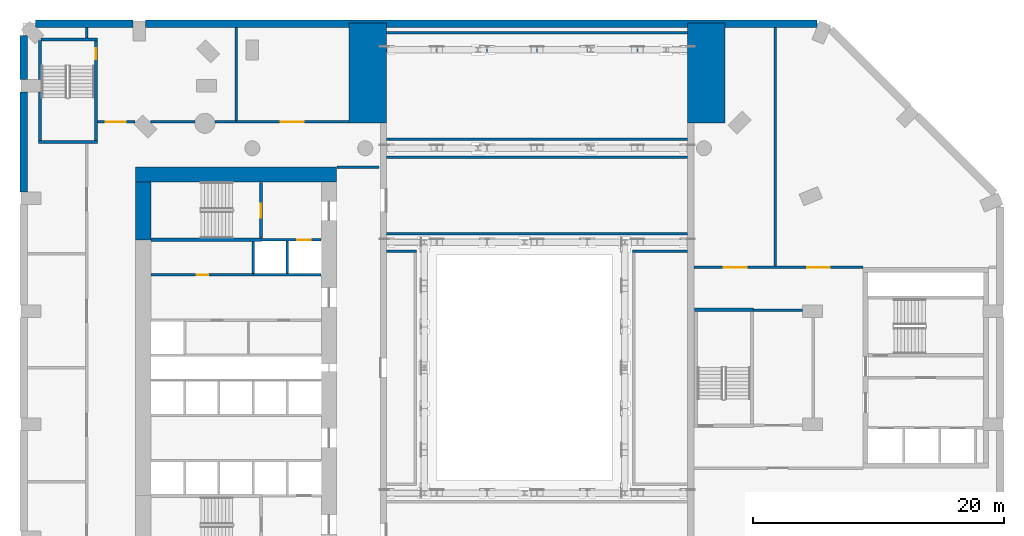
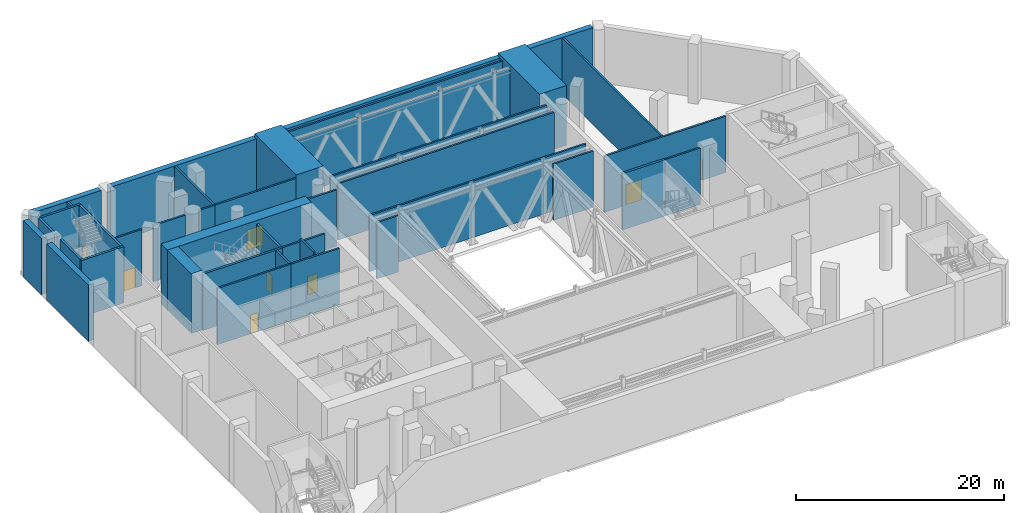
# One storey, part 7 of 21: 38 walls, 8 doors, 8 openings.
"""IFC4 building model written with IfcOpenShell, lengths in metres."""

from ifc_helpers import new_model, si_unit, direction, frame, frame_2d, origin, place, context, subcontext, project, spatial, rectangle, extrude, material, layer, layer_set, type_object, element, fill, save


model = new_model("IFC4")

# Units and contexts
model_context = context("Model", 3, precision=1e-05, world=origin(), true_north=direction((0.0, 1.0)))
body_context = subcontext(model_context, "Body", "Model", "MODEL_VIEW")
ifc_project = project(units=[si_unit("LENGTHUNIT", "METRE"), si_unit("AREAUNIT", "SQUARE_METRE"), si_unit("VOLUMEUNIT", "CUBIC_METRE"), si_unit("PLANEANGLEUNIT", "RADIAN"), si_unit("MASSUNIT", "GRAM", prefix="KILO")], contexts=[model_context])

# Site, building, storey
site_placement = place(None, origin())
site = spatial("IfcSite", under=ifc_project, at=site_placement, CompositionType="ELEMENT")
building_placement = place(site_placement, origin())
building = spatial("IfcBuilding", under=site, at=building_placement, Name="Cypress Arch Tower", CompositionType="ELEMENT")
storey_placement = place(building_placement, frame((0.0, 0.0, 29.0)))
storey = spatial("IfcBuildingStorey", under=building, at=storey_placement, Name="L03", CompositionType="ELEMENT", Elevation=29.0)

# Walls
ifc_material_1 = material(Name="Brick (red buff blend) on blockwork backing", Category="masonry")
ifc_layer_1 = layer(ifc_material_1, 0.60009765625)
ifc_layer_set_1 = layer_set([ifc_layer_1], Name="Brick base wall BW600")
wall_type_1 = type_object("IfcWallType", Name="Brick base wall BW600", PredefinedType="ELEMENTEDWALL", material=ifc_layer_set_1)
wall_1_placement = place(storey_placement, frame((24.33447265625, 27.425048828125, 0.0), z_axis=(0.0, 0.0, 1.0), x_axis=(-1.0, 0.0, 0.0)))
element("IfcWall", 1, at=wall_1_placement, inside=storey, type_object=wall_type_1, Name="Brick wall L03 P03.0", PredefinedType="ELEMENTEDWALL", context=body_context, shape_type="SweptSolid", body=[
    extrude(rectangle(XDim=53.534423828125, YDim=0.60009765625, at=frame_2d((26.76708984375, 0.0))), origin(), (0.0, 0.0, 1.0), 6.60009765625),
])
wall_2_placement = place(storey_placement, frame((-30.199951171875, 27.425048828125, 0.0), z_axis=(0.0, 0.0, 1.0), x_axis=(-1.0, 0.0, 0.0)))
element("IfcWall", 2, at=wall_2_placement, inside=storey, type_object=wall_type_1, Name="Brick wall L03 P03.2", PredefinedType="ELEMENTEDWALL", context=body_context, shape_type="SweptSolid", body=[
    extrude(rectangle(XDim=7.79296875, YDim=0.60009765625, at=frame_2d((3.896484375, 0.0))), origin(), (0.0, 0.0, 1.0), 6.60009765625),
])
wall_3_placement = place(storey_placement, frame((-38.925048828125, 26.492919921875, 0.0), z_axis=(0.0, 0.0, 1.0), x_axis=(0.0, -1.0, 0.0)))
element("IfcWall", 3, at=wall_3_placement, inside=storey, type_object=wall_type_1, Name="Brick wall L03 P04.0", PredefinedType="ELEMENTEDWALL", context=body_context, shape_type="SweptSolid", body=[
    extrude(rectangle(XDim=3.492919921875, YDim=0.60009765625, at=frame_2d((1.74658203125, 0.0))), origin(), (0.0, 0.0, 1.0), 6.60009765625),
])
wall_4_placement = place(storey_placement, frame((-38.925048828125, 22.0, 0.0), z_axis=(0.0, 0.0, 1.0), x_axis=(0.0, -1.0, 0.0)))
element("IfcWall", 4, at=wall_4_placement, inside=storey, type_object=wall_type_1, Name="Brick wall L03 P04.1", PredefinedType="ELEMENTEDWALL", context=body_context, shape_type="SweptSolid", body=[
    extrude(rectangle(XDim=8.0, YDim=0.60009765625, at=frame_2d((4.0, 0.0))), origin(), (0.0, 0.0, 1.0), 6.60009765625),
])
ifc_material_2 = material(Name="Concrete C80/95", Category="concrete")
ifc_layer_2 = layer(ifc_material_2, 1.199951171875)
ifc_layer_set_2 = layer_set([ifc_layer_2], Name="Core wall CW1200 C80/95")
wall_type_2 = type_object("IfcWallType", Name="Core wall CW1200 C80/95", PredefinedType="SHEAR", material=ifc_layer_set_2)
wall_5_placement = place(storey_placement, frame((-30.0, 15.39990234375, 0.0), z_axis=(0.0, 0.0, 1.0), x_axis=(1.0, 0.0, 0.0)))
element("IfcWall", 5, at=wall_5_placement, inside=storey, type_object=wall_type_2, Name="Core wall", PredefinedType="SHEAR", context=body_context, shape_type="SweptSolid", body=[
    extrude(rectangle(XDim=16.0, YDim=1.199951171875, at=frame_2d((8.0, 0.0))), origin(), (0.0, 0.0, 1.0), 7.0),
])
wall_6_placement = place(storey_placement, frame((-29.39990234375, 10.199951171875, 0.0), z_axis=(0.0, 0.0, 1.0), x_axis=(0.0, 1.0, 0.0)))
element("IfcWall", 6, at=wall_6_placement, inside=storey, type_object=wall_type_2, Name="Core wall", PredefinedType="SHEAR", context=body_context, shape_type="SweptSolid", body=[
    extrude(rectangle(XDim=4.60009765625, YDim=1.199951171875, at=frame_2d((2.300048828125, 0.0))), origin(), (0.0, 0.0, 1.0), 7.0),
])

# Wall, opening, door
ifc_material_3 = material(Name="Concrete blockwork, plastered, rated", Category="masonry")
ifc_layer_3 = layer(ifc_material_3, 0.199951171875)
ifc_layer_set_3 = layer_set([ifc_layer_3], Name="Corridor wall FW200")
wall_type_3 = type_object("IfcWallType", Name="Corridor wall FW200", PredefinedType="PARTITIONING", material=ifc_layer_set_3)
wall_7_placement = place(storey_placement, frame((-33.050048828125, 19.60009765625, 0.0), z_axis=(0.0, 0.0, 1.0), x_axis=(1.0, 0.0, 0.0)))
wall_7 = element("IfcWall", 7, at=wall_7_placement, inside=storey, type_object=wall_type_3, Name="Corridor wall", PredefinedType="PARTITIONING", context=body_context, shape_type="SweptSolid", body=[
    extrude(rectangle(XDim=2.97705078125, YDim=0.199951171875, at=frame_2d((1.488525390625, 0.0))), origin(), (0.0, 0.0, 1.0), 6.597900390625),
])
opening_1_placement = place(wall_7_placement, frame((0.64990234375, 0.0, 0.0)))
opening_1 = element("IfcOpeningElement", 8, at=opening_1_placement, cuts=wall_7, Name="Opening D10", PredefinedType="OPENING", context=body_context, shape_type="SweptSolid", body=[
    extrude(rectangle(XDim=1.60009765625, YDim=2.39990234375, at=frame_2d((0.800048828125, 1.199951171875))), frame((0.0, 0.10986328125, 0.0), z_axis=(0.0, -1.0, 0.0), x_axis=(1.0, 0.0, 0.0)), (0.0, 0.0, 1.0), 0.219970703125),
])
ifc_material_4 = material(Name="Black aluminium glazed door", Category="aluminium")
door_type_1 = type_object("IfcDoorType", Name="Amenity door D10 1600x2400", OperationType="DOUBLE_DOOR_SINGLE_SWING", PredefinedType="DOOR", material=ifc_material_4)
door_1_placement = place(opening_1_placement, origin())
door_1 = element("IfcDoor", 9, at=door_1_placement, inside=storey, type_object=door_type_1, Name="Amenity door", OperationType="DOUBLE_DOOR_SINGLE_SWING", OverallHeight=2.39990234375, OverallWidth=1.60009765625, PredefinedType="DOOR", context=body_context, shape_type="SweptSolid", body=[
    extrude(rectangle(XDim=1.60009765625, YDim=2.39990234375, at=frame_2d((0.800048828125, 1.199951171875))), frame((0.0, 0.02490234375, 0.0), z_axis=(0.0, -1.0, 0.0), x_axis=(1.0, 0.0, 0.0)), (0.0, 0.0, 1.0), 0.050048828125),
])
fill(opening_1, door_1)

# Walls
wall_8_placement = place(storey_placement, frame((-28.81298828125, 19.60009765625, 0.0), z_axis=(0.0, 0.0, 1.0), x_axis=(1.0, 0.0, 0.0)))
element("IfcWall", 10, at=wall_8_placement, inside=storey, type_object=wall_type_3, Name="Corridor wall", PredefinedType="PARTITIONING", context=body_context, shape_type="SweptSolid", body=[
    extrude(rectangle(XDim=3.526123046875, YDim=0.199951171875, at=frame_2d((1.76318359375, 0.0))), origin(), (0.0, 0.0, 1.0), 6.597900390625),
])
wall_9_placement = place(storey_placement, frame((-23.68896484375, 19.60009765625, 0.0), z_axis=(0.0, 0.0, 1.0), x_axis=(1.0, 0.0, 0.0)))
element("IfcWall", 11, at=wall_9_placement, inside=storey, type_object=wall_type_3, Name="Corridor wall", PredefinedType="PARTITIONING", context=body_context, shape_type="SweptSolid", body=[
    extrude(rectangle(XDim=1.6689453125, YDim=0.199951171875, at=frame_2d((0.83447265625, 0.0))), origin(), (0.0, 0.0, 1.0), 6.597900390625),
])

# Wall, opening, door
wall_10_placement = place(storey_placement, frame((-28.77001953125, 7.39990234375, 0.0), z_axis=(0.0, 0.0, 1.0), x_axis=(1.0, 0.0, 0.0)))
wall_10 = element("IfcWall", 12, at=wall_10_placement, inside=storey, type_object=wall_type_3, Name="Corridor wall", PredefinedType="PARTITIONING", context=body_context, shape_type="SweptSolid", body=[
    extrude(rectangle(XDim=8.14990234375, YDim=0.199951171875, at=frame_2d((4.074951171875, 0.0))), origin(), (0.0, 0.0, 1.0), 6.597900390625),
])
opening_2_placement = place(wall_10_placement, frame((3.64990234375, 0.0, 0.0)))
opening_2 = element("IfcOpeningElement", 13, at=opening_2_placement, cuts=wall_10, Name="Opening D05", PredefinedType="OPENING", context=body_context, shape_type="SweptSolid", body=[
    extrude(rectangle(XDim=0.89990234375, YDim=2.199951171875, at=frame_2d((0.449951171875, 1.10009765625))), frame((0.0, 0.10986328125, 0.0), z_axis=(0.0, -1.0, 0.0), x_axis=(1.0, 0.0, 0.0)), (0.0, 0.0, 1.0), 0.219970703125),
])
ifc_material_5 = material(Name="Timber flush door", Category="wood")
door_type_2 = type_object("IfcDoorType", Name="Service door D05 900x2200", OperationType="SINGLE_SWING_LEFT", PredefinedType="DOOR", material=ifc_material_5)
door_2_placement = place(opening_2_placement, origin())
door_2 = element("IfcDoor", 14, at=door_2_placement, inside=storey, type_object=door_type_2, Name="Service door", OperationType="SINGLE_SWING_RIGHT", OverallHeight=2.199951171875, OverallWidth=0.89990234375, PredefinedType="DOOR", context=body_context, shape_type="SweptSolid", body=[
    extrude(rectangle(XDim=0.89990234375, YDim=2.199951171875, at=frame_2d((0.449951171875, 1.10009765625))), frame((0.0, 0.02490234375, 0.0), z_axis=(0.0, -1.0, 0.0), x_axis=(1.0, 0.0, 0.0)), (0.0, 0.0, 1.0), 0.050048828125),
])
fill(opening_2, door_2)

# Walls
wall_11_placement = place(storey_placement, frame((-13.969970703125, 16.0, 0.0), z_axis=(0.0, 0.0, 1.0), x_axis=(1.0, 0.0, 0.0)))
element("IfcWall", 15, at=wall_11_placement, inside=storey, type_object=wall_type_3, Name="Corridor wall", PredefinedType="PARTITIONING", context=body_context, shape_type="SweptSolid", body=[
    extrude(rectangle(XDim=3.369873046875, YDim=0.199951171875, at=frame_2d((1.68505859375, 0.0))), origin(), (0.0, 0.0, 1.0), 6.597900390625),
])
wall_12_placement = place(storey_placement, frame((-10.0, 9.300048828125, 0.0), z_axis=(0.0, 0.0, 1.0), x_axis=(1.0, 0.0, 0.0)))
element("IfcWall", 16, at=wall_12_placement, inside=storey, type_object=wall_type_3, Name="Corridor wall", PredefinedType="PARTITIONING", context=body_context, shape_type="SweptSolid", body=[
    extrude(rectangle(XDim=2.39990234375, YDim=0.199951171875, at=frame_2d((1.199951171875, 0.0))), origin(), (0.0, 0.0, 1.0), 6.597900390625),
])
wall_13_placement = place(storey_placement, frame((9.60009765625, 9.300048828125, 0.0), z_axis=(0.0, 0.0, 1.0), x_axis=(1.0, 0.0, 0.0)))
element("IfcWall", 17, at=wall_13_placement, inside=storey, type_object=wall_type_3, Name="Corridor wall", PredefinedType="PARTITIONING", context=body_context, shape_type="SweptSolid", body=[
    extrude(rectangle(XDim=4.39990234375, YDim=0.199951171875, at=frame_2d((2.199951171875, 0.0))), origin(), (0.0, 0.0, 1.0), 6.597900390625),
])
ifc_material_6 = material(Name="Concrete C80/95", Category="concrete")
ifc_layer_4 = layer(ifc_material_6, 3.0)
ifc_layer_set_4 = layer_set([ifc_layer_4], Name="Pier wall 3000 Concrete C80/95")
wall_type_4 = type_object("IfcWallType", Name="Pier wall 3000 Concrete C80/95", PredefinedType="SOLIDWALL", material=ifc_layer_set_4)
for number, where, z_axis, x_axis, name in (
    (18, (-11.5, 19.5, 0.0), (0.0, 0.0, 1.0), (0.0, 1.0, 0.0), "Gate pier wall PW-WN L03"),
    (19, (15.5, 19.5, 0.0), (0.0, 0.0, 1.0), (0.0, 1.0, 0.0), "Gate pier wall PW-EN L03"),
):
    element("IfcWall", number, at=place(storey_placement, frame(where, z_axis=z_axis, x_axis=x_axis)), inside=storey, type_object=wall_type_4, Name=name, PredefinedType="SOLIDWALL", context=body_context, shape_type="SweptSolid", body=[
        extrude(rectangle(XDim=8.0, YDim=3.0, at=frame_2d((4.0, 0.0))), origin(), (0.0, 0.0, 1.0), 7.0),
    ])
ifc_material_7 = material(Name="Reinforced blockwork, plastered, rated", Category="masonry")
ifc_layer_5 = layer(ifc_material_7, 0.199951171875)
ifc_layer_set_5 = layer_set([ifc_layer_5], Name="Plant and riser wall PL200")
wall_type_5 = type_object("IfcWallType", Name="Plant and riser wall PL200", PredefinedType="PARTITIONING", material=ifc_layer_set_5)
wall_14_placement = place(storey_placement, frame((-33.89990234375, 26.300048828125, 0.0), z_axis=(0.0, 0.0, 1.0), x_axis=(0.0, 1.0, 0.0)))
element("IfcWall", 20, at=wall_14_placement, inside=storey, type_object=wall_type_5, Name="Plant and riser wall", PredefinedType="PARTITIONING", context=body_context, shape_type="SweptSolid", body=[
    extrude(rectangle(XDim=0.824951171875, YDim=0.199951171875, at=frame_2d((0.41259765625, 0.0))), origin(), (0.0, 0.0, 1.0), 6.597900390625),
])

# Wall, opening, door
wall_15_placement = place(storey_placement, frame((-22.02001953125, 19.60009765625, 0.0), z_axis=(0.0, 0.0, 1.0), x_axis=(1.0, 0.0, 0.0)))
wall_15 = element("IfcWall", 21, at=wall_15_placement, inside=storey, type_object=wall_type_5, Name="Plant and riser wall", PredefinedType="PARTITIONING", context=body_context, shape_type="SweptSolid", body=[
    extrude(rectangle(XDim=9.02001953125, YDim=0.199951171875, at=frame_2d((4.510009765625, 0.0))), origin(), (0.0, 0.0, 1.0), 6.597900390625),
])
opening_3_placement = place(wall_15_placement, frame((3.60009765625, 0.0, 0.0)))
opening_3 = element("IfcOpeningElement", 22, at=opening_3_placement, cuts=wall_15, Name="Opening D09", PredefinedType="OPENING", context=body_context, shape_type="SweptSolid", body=[
    extrude(rectangle(XDim=1.800048828125, YDim=2.39990234375, at=frame_2d((0.89990234375, 1.199951171875))), frame((0.0, 0.10986328125, 0.0), z_axis=(0.0, -1.0, 0.0), x_axis=(1.0, 0.0, 0.0)), (0.0, 0.0, 1.0), 0.219970703125),
])
ifc_material_8 = material(Name="Steel door, fire resisting", Category="steel")
door_type_3 = type_object("IfcDoorType", Name="Plant room door D09 1800x2400", OperationType="DOUBLE_DOOR_SINGLE_SWING", PredefinedType="DOOR", material=ifc_material_8)
door_3_placement = place(opening_3_placement, origin())
door_3 = element("IfcDoor", 23, at=door_3_placement, inside=storey, type_object=door_type_3, Name="Plant room door", OperationType="DOUBLE_DOOR_SINGLE_SWING", OverallHeight=2.39990234375, OverallWidth=1.800048828125, PredefinedType="DOOR", context=body_context, shape_type="SweptSolid", body=[
    extrude(rectangle(XDim=1.800048828125, YDim=2.39990234375, at=frame_2d((0.89990234375, 1.199951171875))), frame((0.0, 0.02490234375, 0.0), z_axis=(0.0, -1.0, 0.0), x_axis=(1.0, 0.0, 0.0)), (0.0, 0.0, 1.0), 0.050048828125),
])
fill(opening_3, door_3)

# Walls
wall_16_placement = place(storey_placement, frame((-22.0, 19.699951171875, 0.0), z_axis=(0.0, 0.0, 1.0), x_axis=(0.0, 1.0, 0.0)))
element("IfcWall", 24, at=wall_16_placement, inside=storey, type_object=wall_type_5, Name="Plant and riser wall", PredefinedType="PARTITIONING", context=body_context, shape_type="SweptSolid", body=[
    extrude(rectangle(XDim=7.425048828125, YDim=0.199951171875, at=frame_2d((3.71240234375, 0.0))), origin(), (0.0, 0.0, 1.0), 6.597900390625),
])
for number, where, z_axis, x_axis, name in (
    (25, (-10.0, 26.699951171875, 0.0), (0.0, 0.0, 1.0), (1.0, 0.0, 0.0), "Plant and riser wall"),
    (26, (-10.0, 10.699951171875, 0.0), (0.0, 0.0, 1.0), (1.0, 0.0, 0.0), "Plant and riser wall"),
    (27, (-10.0, 16.800048828125, 0.0), (0.0, 0.0, 1.0), (1.0, 0.0, 0.0), "Plant and riser wall"),
    (28, (-10.0, 18.199951171875, 0.0), (0.0, 0.0, 1.0), (1.0, 0.0, 0.0), "Plant and riser wall"),
    (29, (-10.0, 25.300048828125, 0.0), (0.0, 0.0, 1.0), (1.0, 0.0, 0.0), "Plant and riser wall"),
):
    element("IfcWall", number, at=place(storey_placement, frame(where, z_axis=z_axis, x_axis=x_axis)), inside=storey, type_object=wall_type_5, Name=name, PredefinedType="PARTITIONING", context=body_context, shape_type="SweptSolid", body=[
        extrude(rectangle(XDim=24.0, YDim=0.199951171875, at=frame_2d((12.0, 0.0))), origin(), (0.0, 0.0, 1.0), 6.597900390625),
    ])

# Wall, openings, doors
wall_17_placement = place(storey_placement, frame((14.5, 8.0, 0.0), z_axis=(0.0, 0.0, 1.0), x_axis=(1.0, 0.0, 0.0)))
wall_17 = element("IfcWall", 30, at=wall_17_placement, inside=storey, type_object=wall_type_5, Name="Plant and riser wall", PredefinedType="PARTITIONING", context=body_context, shape_type="SweptSolid", body=[
    extrude(rectangle(XDim=13.469970703125, YDim=0.199951171875, at=frame_2d((6.73486328125, 0.0))), origin(), (0.0, 0.0, 1.0), 6.597900390625),
])
opening_4_placement = place(wall_17_placement, frame((2.39990234375, 0.0, 0.0)))
opening_4 = element("IfcOpeningElement", 31, at=opening_4_placement, cuts=wall_17, Name="Opening D09", PredefinedType="OPENING", context=body_context, shape_type="SweptSolid", body=[
    extrude(rectangle(XDim=1.800048828125, YDim=2.39990234375, at=frame_2d((0.89990234375, 1.199951171875))), frame((0.0, 0.10986328125, 0.0), z_axis=(0.0, -1.0, 0.0), x_axis=(1.0, 0.0, 0.0)), (0.0, 0.0, 1.0), 0.219970703125),
])
opening_5_placement = place(wall_17_placement, frame((9.050048828125, 0.0, 0.0)))
opening_5 = element("IfcOpeningElement", 32, at=opening_5_placement, cuts=wall_17, Name="Opening D09", PredefinedType="OPENING", context=body_context, shape_type="SweptSolid", body=[
    extrude(rectangle(XDim=1.800048828125, YDim=2.39990234375, at=frame_2d((0.89990234375, 1.199951171875))), frame((0.0, 0.10986328125, 0.0), z_axis=(0.0, -1.0, 0.0), x_axis=(1.0, 0.0, 0.0)), (0.0, 0.0, 1.0), 0.219970703125),
])
door_4_placement = place(opening_4_placement, origin())
door_4 = element("IfcDoor", 33, at=door_4_placement, inside=storey, type_object=door_type_3, Name="Plant room door", OperationType="DOUBLE_DOOR_SINGLE_SWING", OverallHeight=2.39990234375, OverallWidth=1.800048828125, PredefinedType="DOOR", context=body_context, shape_type="SweptSolid", body=[
    extrude(rectangle(XDim=1.800048828125, YDim=2.39990234375, at=frame_2d((0.89990234375, 1.199951171875))), frame((0.0, 0.02490234375, 0.0), z_axis=(0.0, -1.0, 0.0), x_axis=(1.0, 0.0, 0.0)), (0.0, 0.0, 1.0), 0.050048828125),
])
fill(opening_4, door_4)
door_5_placement = place(opening_5_placement, origin())
door_5 = element("IfcDoor", 34, at=door_5_placement, inside=storey, type_object=door_type_3, Name="Plant room door", OperationType="DOUBLE_DOOR_SINGLE_SWING", OverallHeight=2.39990234375, OverallWidth=1.800048828125, PredefinedType="DOOR", context=body_context, shape_type="SweptSolid", body=[
    extrude(rectangle(XDim=1.800048828125, YDim=2.39990234375, at=frame_2d((0.89990234375, 1.199951171875))), frame((0.0, 0.02490234375, 0.0), z_axis=(0.0, -1.0, 0.0), x_axis=(1.0, 0.0, 0.0)), (0.0, 0.0, 1.0), 0.050048828125),
])
fill(opening_5, door_5)

# Walls
wall_18_placement = place(storey_placement, frame((19.25, 4.60009765625, 0.0), z_axis=(0.0, 0.0, 1.0), x_axis=(1.0, 0.0, 0.0)))
element("IfcWall", 35, at=wall_18_placement, inside=storey, type_object=wall_type_5, Name="Plant and riser wall", PredefinedType="PARTITIONING", context=body_context, shape_type="SweptSolid", body=[
    extrude(rectangle(XDim=3.89990234375, YDim=0.199951171875, at=frame_2d((1.949951171875, 0.0))), origin(), (0.0, 0.0, 1.0), 6.597900390625),
])
wall_19_placement = place(storey_placement, frame((21.0, 8.10009765625, 0.0), z_axis=(0.0, 0.0, 1.0), x_axis=(0.0, 1.0, 0.0)))
element("IfcWall", 36, at=wall_19_placement, inside=storey, type_object=wall_type_5, Name="Plant and riser wall", PredefinedType="PARTITIONING", context=body_context, shape_type="SweptSolid", body=[
    extrude(rectangle(XDim=19.02490234375, YDim=0.199951171875, at=frame_2d((9.512451171875, 0.0))), origin(), (0.0, 0.0, 1.0), 6.597900390625),
])
ifc_material_9 = material(Name="Concrete C50/60", Category="concrete")
ifc_layer_6 = layer(ifc_material_9, 0.199951171875)
ifc_layer_set_6 = layer_set([ifc_layer_6], Name="Shaft wall SH200")
wall_type_6 = type_object("IfcWallType", Name="Shaft wall SH200", PredefinedType="SHEAR", material=ifc_layer_set_6)
wall_20_placement = place(storey_placement, frame((-20.639892578125, 7.5, 0.0), z_axis=(0.0, 0.0, 1.0), x_axis=(0.0, 1.0, 0.0)))
element("IfcWall", 37, at=wall_20_placement, inside=storey, type_object=wall_type_6, Name="Shaft wall", PredefinedType="SHEAR", context=body_context, shape_type="SweptSolid", body=[
    extrude(rectangle(XDim=2.574951171875, YDim=0.199951171875, at=frame_2d((1.28759765625, 0.0))), origin(), (0.0, 0.0, 1.0), 6.597900390625),
])
wall_21_placement = place(storey_placement, frame((-20.6201171875, 7.39990234375, 0.0), z_axis=(0.0, 0.0, 1.0), x_axis=(1.0, 0.0, 0.0)))
element("IfcWall", 38, at=wall_21_placement, inside=storey, type_object=wall_type_6, Name="Shaft wall", PredefinedType="SHEAR", context=body_context, shape_type="SweptSolid", body=[
    extrude(rectangle(XDim=5.39013671875, YDim=0.199951171875, at=frame_2d((2.695068359375, 0.0))), origin(), (0.0, 0.0, 1.0), 6.597900390625),
])

# Wall, opening, door
wall_22_placement = place(storey_placement, frame((-19.97998046875, 10.199951171875, 0.0), z_axis=(0.0, 0.0, 1.0), x_axis=(1.0, 0.0, 0.0)))
wall_22 = element("IfcWall", 39, at=wall_22_placement, inside=storey, type_object=wall_type_6, Name="Shaft wall", PredefinedType="SHEAR", context=body_context, shape_type="SweptSolid", body=[
    extrude(rectangle(XDim=4.75, YDim=0.199951171875, at=frame_2d((2.375, 0.0))), origin(), (0.0, 0.0, 1.0), 6.597900390625),
])
opening_6_placement = place(wall_22_placement, frame((2.85009765625, 0.0, 0.0)))
opening_6 = element("IfcOpeningElement", 40, at=opening_6_placement, cuts=wall_22, Name="Opening LD-FL2", PredefinedType="OPENING", context=body_context, shape_type="SweptSolid", body=[
    extrude(rectangle(XDim=1.10009765625, YDim=2.199951171875, at=frame_2d((0.550048828125, 1.10009765625))), frame((0.0, 0.10986328125, 0.0), z_axis=(0.0, -1.0, 0.0), x_axis=(1.0, 0.0, 0.0)), (0.0, 0.0, 1.0), 0.219970703125),
])
ifc_material_10 = material(Name="Stainless steel centre-opening landing door, rated", Category="steel")
door_type_4 = type_object("IfcDoorType", Name="Lift landing door LD 1100x2200", OperationType="DOUBLE_DOOR_SLIDING", PredefinedType="DOOR", material=ifc_material_10)
door_6_placement = place(opening_6_placement, origin())
door_6 = element("IfcDoor", 41, at=door_6_placement, inside=storey, type_object=door_type_4, Name="Lift landing doors FL2", OperationType="DOUBLE_DOOR_SLIDING", OverallHeight=2.199951171875, OverallWidth=1.10009765625, PredefinedType="DOOR", context=body_context, shape_type="SweptSolid", body=[
    extrude(rectangle(XDim=1.10009765625, YDim=2.199951171875, at=frame_2d((0.550048828125, 1.10009765625))), frame((0.0, 0.02490234375, 0.0), z_axis=(0.0, -1.0, 0.0), x_axis=(1.0, 0.0, 0.0)), (0.0, 0.0, 1.0), 0.050048828125),
])
fill(opening_6, door_6)

# Walls
wall_23_placement = place(storey_placement, frame((-17.919921875, 7.5, 0.0), z_axis=(0.0, 0.0, 1.0), x_axis=(0.0, 1.0, 0.0)))
element("IfcWall", 42, at=wall_23_placement, inside=storey, type_object=wall_type_6, Name="Shaft wall", PredefinedType="SHEAR", context=body_context, shape_type="SweptSolid", body=[
    extrude(rectangle(XDim=2.60009765625, YDim=0.199951171875, at=frame_2d((1.300048828125, 0.0))), origin(), (0.0, 0.0, 1.0), 7.0),
])
ifc_material_11 = material(Name="Concrete C50/60", Category="concrete")
ifc_layer_7 = layer(ifc_material_11, 0.25)
ifc_layer_set_7 = layer_set([ifc_layer_7], Name="Stair enclosure wall SW250")
wall_type_7 = type_object("IfcWallType", Name="Stair enclosure wall SW250", PredefinedType="SHEAR", material=ifc_layer_set_7)
wall_24_placement = place(storey_placement, frame((-37.625, 18.1298828125, 0.0), z_axis=(0.0, 0.0, 1.0), x_axis=(0.0, 1.0, 0.0)))
element("IfcWall", 43, at=wall_24_placement, inside=storey, type_object=wall_type_7, Name="Stair enclosure wall", PredefinedType="SHEAR", context=body_context, shape_type="SweptSolid", body=[
    extrude(rectangle(XDim=3.8701171875, YDim=0.25, at=frame_2d((1.93505859375, 0.0))), origin(), (0.0, 0.0, 1.0), 6.60009765625),
])
wall_25_placement = place(storey_placement, frame((-37.625, 23.0, 0.0), z_axis=(0.0, 0.0, 1.0), x_axis=(0.0, 1.0, 0.0)))
element("IfcWall", 44, at=wall_25_placement, inside=storey, type_object=wall_type_7, Name="Stair enclosure wall", PredefinedType="SHEAR", context=body_context, shape_type="SweptSolid", body=[
    extrude(rectangle(XDim=3.09521484375, YDim=0.25, at=frame_2d((1.547607421875, 0.0))), origin(), (0.0, 0.0, 1.0), 6.60009765625),
])
wall_26_placement = place(storey_placement, frame((-37.75, 18.0048828125, 0.0), z_axis=(0.0, 0.0, 1.0), x_axis=(1.0, 0.0, 0.0)))
element("IfcWall", 45, at=wall_26_placement, inside=storey, type_object=wall_type_7, Name="Stair enclosure wall", PredefinedType="SHEAR", context=body_context, shape_type="SweptSolid", body=[
    extrude(rectangle(XDim=4.699951171875, YDim=0.25, at=frame_2d((2.35009765625, 0.0))), origin(), (0.0, 0.0, 1.0), 6.60009765625),
])
wall_27_placement = place(storey_placement, frame((-37.545166015625, 26.175048828125, 0.0), z_axis=(0.0, 0.0, 1.0), x_axis=(1.0, 0.0, 0.0)))
element("IfcWall", 46, at=wall_27_placement, inside=storey, type_object=wall_type_7, Name="Stair enclosure wall", PredefinedType="SHEAR", context=body_context, shape_type="SweptSolid", body=[
    extrude(rectangle(XDim=4.4951171875, YDim=0.25, at=frame_2d((2.24755859375, 0.0))), origin(), (0.0, 0.0, 1.0), 6.60009765625),
])

# Wall, opening, door
wall_28_placement = place(storey_placement, frame((-33.175048828125, 18.1298828125, 0.0), z_axis=(0.0, 0.0, 1.0), x_axis=(0.0, 1.0, 0.0)))
wall_28 = element("IfcWall", 47, at=wall_28_placement, inside=storey, type_object=wall_type_7, Name="Stair enclosure wall", PredefinedType="SHEAR", context=body_context, shape_type="SweptSolid", body=[
    extrude(rectangle(XDim=7.920166015625, YDim=0.25, at=frame_2d((3.9599609375, 0.0))), origin(), (0.0, 0.0, 1.0), 6.60009765625),
])
opening_7_placement = place(wall_28_placement, frame((6.449951171875, 0.0, 0.0)))
opening_7 = element("IfcOpeningElement", 48, at=opening_7_placement, cuts=wall_28, Name="Opening D15", PredefinedType="OPENING", context=body_context, shape_type="SweptSolid", body=[
    extrude(rectangle(XDim=0.89990234375, YDim=2.199951171875, at=frame_2d((0.449951171875, 1.10009765625))), frame((0.0, 0.135009765625, 0.0), z_axis=(0.0, -1.0, 0.0), x_axis=(1.0, 0.0, 0.0)), (0.0, 0.0, 1.0), 0.27001953125),
])
ifc_material_12 = material(Name="Steel door, fire resisting, panic bar", Category="steel")
door_type_5 = type_object("IfcDoorType", Name="Stair door D15 900x2200", OperationType="SINGLE_SWING_LEFT", PredefinedType="DOOR", material=ifc_material_12)
door_7_placement = place(opening_7_placement, origin())
door_7 = element("IfcDoor", 49, at=door_7_placement, inside=storey, type_object=door_type_5, Name="Stair door", OperationType="SINGLE_SWING_RIGHT", OverallHeight=2.199951171875, OverallWidth=0.89990234375, PredefinedType="DOOR", context=body_context, shape_type="SweptSolid", body=[
    extrude(rectangle(XDim=0.89990234375, YDim=2.199951171875, at=frame_2d((0.449951171875, 1.10009765625))), frame((0.0, 0.02490234375, 0.0), z_axis=(0.0, -1.0, 0.0), x_axis=(1.0, 0.0, 0.0)), (0.0, 0.0, 1.0), 0.050048828125),
])
fill(opening_7, door_7)

# Wall
wall_29_placement = place(storey_placement, frame((-28.77001953125, 10.199951171875, 0.0), z_axis=(0.0, 0.0, 1.0), x_axis=(1.0, 0.0, 0.0)))
element("IfcWall", 50, at=wall_29_placement, inside=storey, type_object=wall_type_7, Name="Stair enclosure wall", PredefinedType="SHEAR", context=body_context, shape_type="SweptSolid", body=[
    extrude(rectangle(XDim=8.7900390625, YDim=0.25, at=frame_2d((4.39501953125, 0.0))), origin(), (0.0, 0.0, 1.0), 6.597900390625),
])

# Wall, opening, door
wall_30_placement = place(storey_placement, frame((-20.0, 10.324951171875, 0.0), z_axis=(0.0, 0.0, 1.0), x_axis=(0.0, 1.0, 0.0)))
wall_30 = element("IfcWall", 51, at=wall_30_placement, inside=storey, type_object=wall_type_7, Name="Stair enclosure wall", PredefinedType="SHEAR", context=body_context, shape_type="SweptSolid", body=[
    extrude(rectangle(XDim=4.445068359375, YDim=0.25, at=frame_2d((2.22265625, 0.0))), origin(), (0.0, 0.0, 1.0), 6.597900390625),
])
opening_8_placement = place(wall_30_placement, frame((1.64990234375, 0.0, 0.0)))
opening_8 = element("IfcOpeningElement", 52, at=opening_8_placement, cuts=wall_30, Name="Opening D06", PredefinedType="OPENING", context=body_context, shape_type="SweptSolid", body=[
    extrude(rectangle(XDim=1.10009765625, YDim=2.199951171875, at=frame_2d((0.550048828125, 1.10009765625))), frame((0.0, 0.135009765625, 0.0), z_axis=(0.0, -1.0, 0.0), x_axis=(1.0, 0.0, 0.0)), (0.0, 0.0, 1.0), 0.27001953125),
])
ifc_material_13 = material(Name="Steel door, fire resisting, panic bar", Category="steel")
door_type_6 = type_object("IfcDoorType", Name="Stair door D06 1100x2200", OperationType="SINGLE_SWING_LEFT", PredefinedType="DOOR", material=ifc_material_13)
door_8_placement = place(opening_8_placement, origin())
door_8 = element("IfcDoor", 53, at=door_8_placement, inside=storey, type_object=door_type_6, Name="Stair door", OperationType="SINGLE_SWING_LEFT", OverallHeight=2.199951171875, OverallWidth=1.10009765625, PredefinedType="DOOR", context=body_context, shape_type="SweptSolid", body=[
    extrude(rectangle(XDim=1.10009765625, YDim=2.199951171875, at=frame_2d((0.550048828125, 1.10009765625))), frame((0.0, 0.02490234375, 0.0), z_axis=(0.0, -1.0, 0.0), x_axis=(1.0, 0.0, 0.0)), (0.0, 0.0, 1.0), 0.050048828125),
])
fill(opening_8, door_8)

# Wall
wall_31_placement = place(storey_placement, frame((14.550048828125, 4.625, 0.0), z_axis=(0.0, 0.0, 1.0), x_axis=(1.0, 0.0, 0.0)))
element("IfcWall", 54, at=wall_31_placement, inside=storey, type_object=wall_type_7, Name="Stair enclosure wall", PredefinedType="SHEAR", context=body_context, shape_type="SweptSolid", body=[
    extrude(rectangle(XDim=4.699951171875, YDim=0.25, at=frame_2d((2.35009765625, 0.0))), origin(), (0.0, 0.0, 1.0), 6.60009765625),
])

save(model, "model.ifc")
